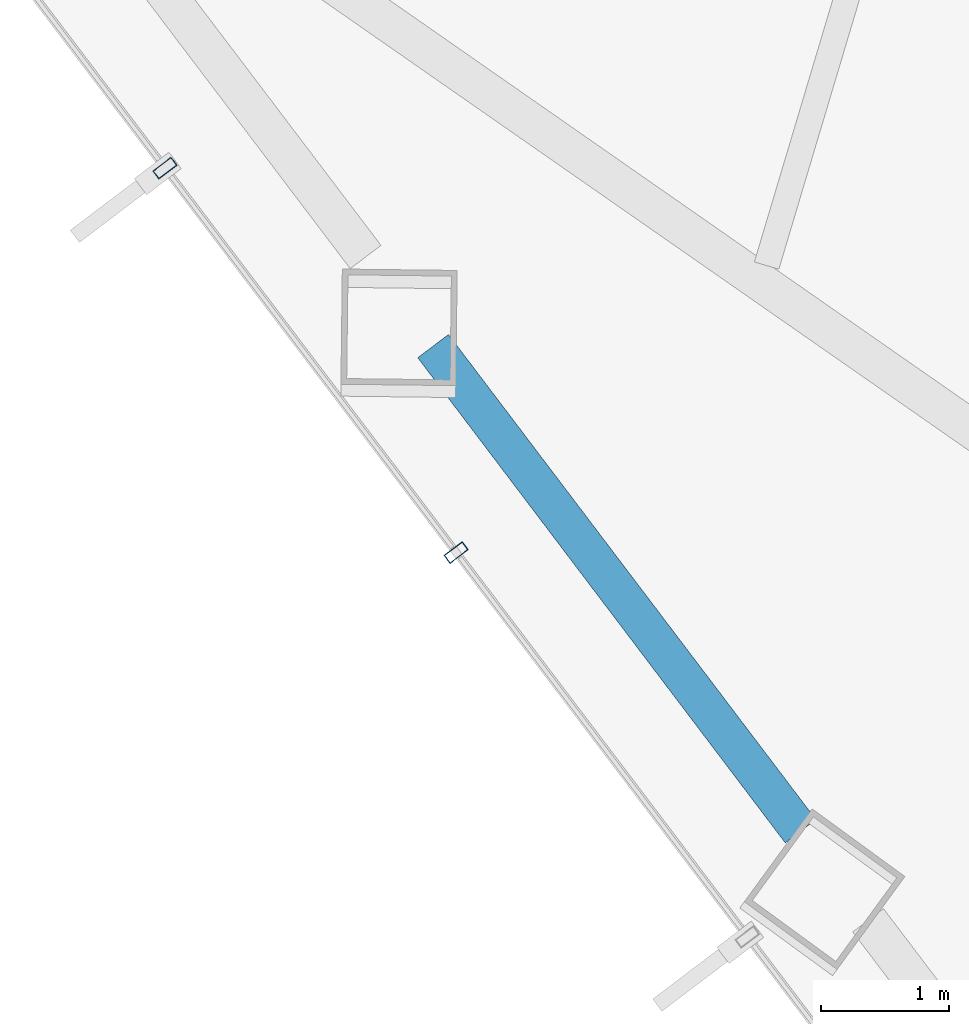
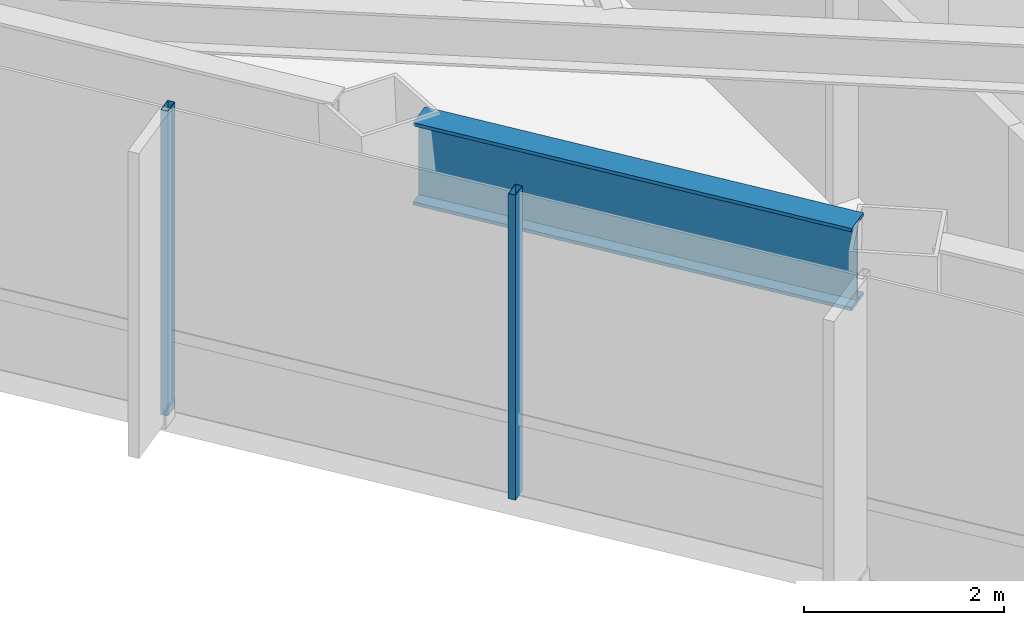
# One storey, part 4 of 25: 2 members, 1 beam, 1 element without a shape of its own.
"""IFC4 building model written with IfcOpenShell, lengths in metres."""

from ifc_helpers import new_model, si_unit, direction, frame, origin, origin_2d, place, context, subcontext, project, spatial, hollow_rectangle, i_section, extrude, material, layer, layer_set, material_profile, profile_set, type_object, element, aggregate, save


model = new_model("IFC4")

# Units and contexts
model_context = context("Model", 3, precision=1e-05, world=origin(), true_north=direction((0.0, 1.0)))
body_context = subcontext(model_context, "Body", "Model", "MODEL_VIEW")
ifc_project = project(units=[si_unit("LENGTHUNIT", "METRE"), si_unit("AREAUNIT", "SQUARE_METRE"), si_unit("VOLUMEUNIT", "CUBIC_METRE"), si_unit("PLANEANGLEUNIT", "RADIAN"), si_unit("MASSUNIT", "GRAM", prefix="KILO")], contexts=[model_context])

# Site, building, storey
site_placement = place(None, origin())
site = spatial("IfcSite", under=ifc_project, at=site_placement, CompositionType="ELEMENT")
building_placement = place(site_placement, origin())
building = spatial("IfcBuilding", under=site, at=building_placement, Name="Zarrinselat Tower", CompositionType="ELEMENT")
storey_placement = place(building_placement, frame((0.0, 0.0, 105.06005859375)))
storey = spatial("IfcBuildingStorey", under=building, at=storey_placement, Name="L25", CompositionType="ELEMENT", Elevation=105.06005859375)

# Beam
ifc_material_1 = material(Name="Steel S460M", Category="steel")
ifc_material_profile_1 = material_profile(ifc_material_1, i_section(OverallWidth=0.302001953125, OverallDepth=1.008056640625, WebThickness=0.02099609375, FlangeThickness=0.0400390625, at=origin_2d()), Name="HEM 1000")
ifc_profile_set_1 = profile_set([ifc_material_profile_1], Name="Steel S460M")
beam_type = type_object("IfcBeamType", Name="BM-HEM1000", PredefinedType="BEAM", material=ifc_profile_set_1)
beam_placement = place(storey_placement, frame((19.619384765625, 31.989990234375, 3.225830078125), z_axis=(0.603851772902, -0.797096629251, 0.0), x_axis=(0.797096629251, 0.603851772902, 0.0)))
element("IfcBeam", 1, at=beam_placement, inside=storey, type_object=beam_type, Name="L25 Perimeter Spandrel Girder SP07", PredefinedType="BEAM", context=body_context, shape_type="SweptSolid", body=[
    extrude(i_section(OverallWidth=0.302001953125, OverallDepth=1.008056640625, WebThickness=0.02099609375, FlangeThickness=0.0400390625, at=origin_2d()), origin(), (0.0, 0.0, 1.0), 4.76806640625),
])

# Curtain wall, members
ifc_material_2 = material(Name="Extruded Aluminium Alloy EN AW-6063 T6", Category="aluminium")
ifc_layer = layer(ifc_material_2, 0.18505859375)
ifc_layer_set = layer_set([ifc_layer], Name="Extruded Aluminium Alloy EN AW-6063 T6")
curtain_wall_type = type_object("IfcCurtainWallType", Name="CWS-OFF", PredefinedType="NOTDEFINED", material=ifc_layer_set)
curtain_wall_placement = place(storey_placement, origin())
curtain_wall = element("IfcCurtainWall", 2, at=curtain_wall_placement, inside=storey, type_object=curtain_wall_type, Name="L25 Unitised Curtain Wall CW-L25-E03", PredefinedType="NOTDEFINED")
ifc_material_3 = material(Name="Extruded Aluminium Alloy EN AW-6063 T6", Category="aluminium")
ifc_material_profile_2 = material_profile(ifc_material_3, hollow_rectangle(XDim=0.080078125, YDim=0.179931640625, WallThickness=0.0048828125, at=origin_2d()), Name="RHS 180x80x5")
ifc_profile_set_2 = profile_set([ifc_material_profile_2], Name="Extruded Aluminium Alloy EN AW-6063 T6")
member_type = type_object("IfcMemberType", Name="MEM-CW-MUL", PredefinedType="MULLION", material=ifc_profile_set_2)
member_1_placement = place(storey_placement, frame((17.51806640625, 33.38427734375, 0.0), z_axis=(0.0, 0.0, 1.0), x_axis=(0.603857772927, -0.797092083812, 0.0)))
member_1 = element("IfcMember", 3, at=member_1_placement, type_object=member_type, Name="CW-L25-E03 Mullion 1", PredefinedType="MULLION", context=body_context, shape_type="SweptSolid", body=[
    extrude(hollow_rectangle(XDim=0.080078125, YDim=0.179931640625, WallThickness=0.0048828125, at=origin_2d()), origin(), (0.0, 0.0, 1.0), 3.72998046875),
])
member_2_placement = place(storey_placement, frame((19.799560546875, 30.37255859375, 0.0), z_axis=(0.0, 0.0, 1.0), x_axis=(0.603857772927, -0.797092083812, 0.0)))
member_2 = element("IfcMember", 4, at=member_2_placement, type_object=member_type, Name="CW-L25-E03 Mullion 2", PredefinedType="MULLION", context=body_context, shape_type="SweptSolid", body=[
    extrude(hollow_rectangle(XDim=0.080078125, YDim=0.179931640625, WallThickness=0.0048828125, at=origin_2d()), origin(), (0.0, 0.0, 1.0), 3.72998046875),
])
aggregate(curtain_wall, [member_1, member_2])

save(model, "model.ifc")
